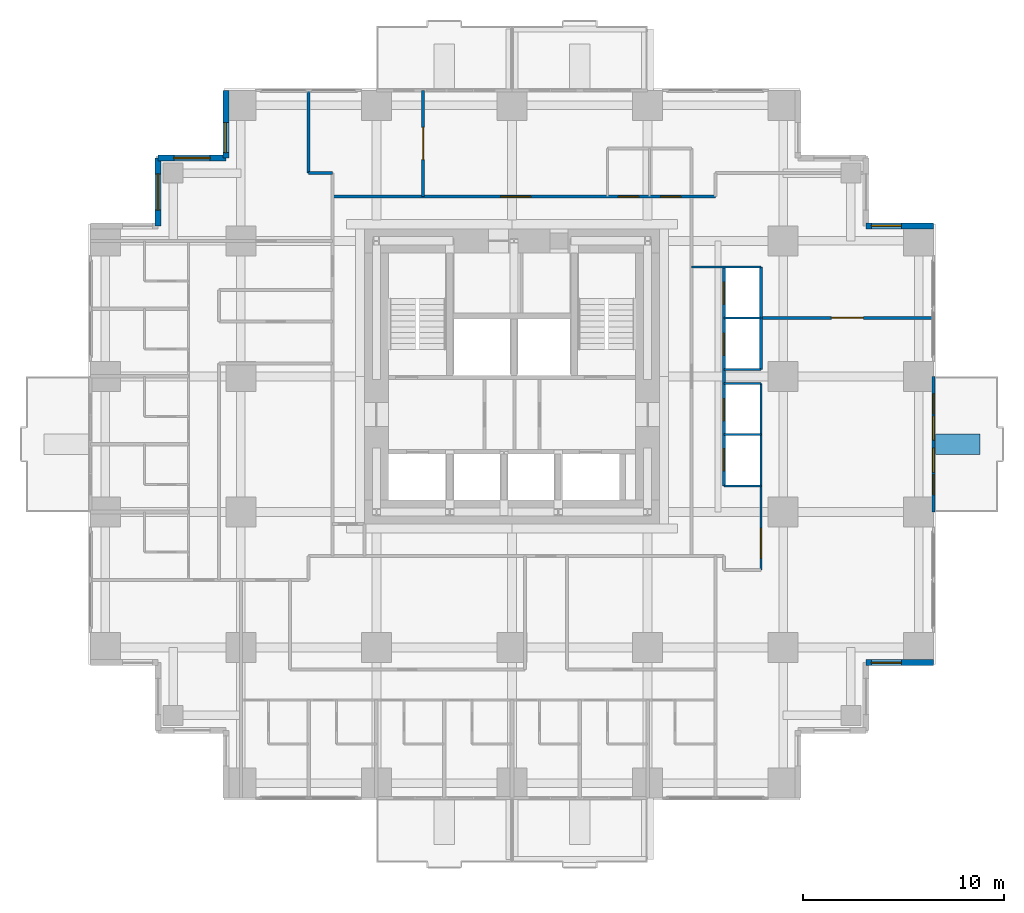
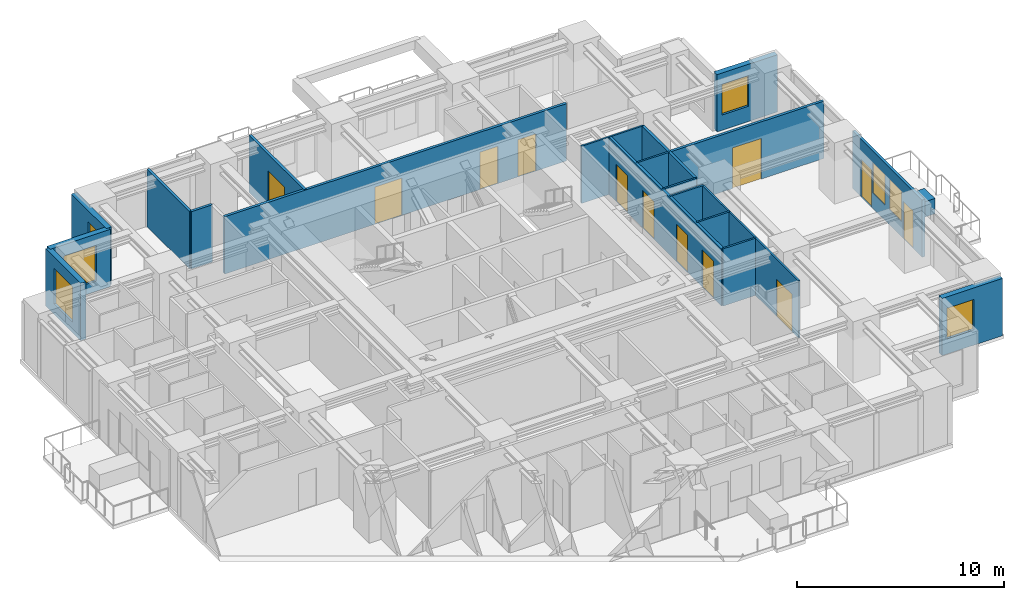
# One storey, part 8 of 11: 21 walls, 12 doors, 7 windows, 19 openings.
"""IFC4 building model written with IfcOpenShell, lengths in metres."""

from ifc_helpers import new_model, si_unit, direction, frame, frame_2d, origin, place, context, subcontext, project, spatial, rectangle, extrude, material, layer, layer_set, type_object, element, fill, save


model = new_model("IFC4")

# Units and contexts
model_context = context("Model", 3, precision=1e-05, world=origin(), true_north=direction((0.0, 1.0)))
body_context = subcontext(model_context, "Body", "Model", "MODEL_VIEW")
ifc_project = project(units=[si_unit("LENGTHUNIT", "METRE"), si_unit("AREAUNIT", "SQUARE_METRE"), si_unit("VOLUMEUNIT", "CUBIC_METRE"), si_unit("PLANEANGLEUNIT", "RADIAN"), si_unit("MASSUNIT", "GRAM", prefix="KILO")], contexts=[model_context])

# Site, building, storey
site_placement = place(None, origin())
site = spatial("IfcSite", under=ifc_project, at=site_placement, CompositionType="ELEMENT")
building_placement = place(site_placement, origin())
building = spatial("IfcBuilding", under=site, at=building_placement, Name="Nyansa Garden Tower", CompositionType="ELEMENT")
storey_placement = place(building_placement, frame((0.0, 0.0, 108.89990234375)))
storey = spatial("IfcBuildingStorey", under=building, at=storey_placement, Name="L29", CompositionType="ELEMENT", Elevation=108.89990234375)

# Wall, openings, doors, windows
ifc_material_1 = material(Name="Black aluminium framed glazed screen", Category="aluminium")
ifc_layer_1 = layer(ifc_material_1, 0.14990234375)
ifc_layer_set_1 = layer_set([ifc_layer_1], Name="Balcony screen wall BW150")
wall_type_1 = type_object("IfcWallType", Name="Balcony screen wall BW150", PredefinedType="SOLIDWALL", material=ifc_layer_set_1)
wall_1_placement = place(storey_placement, frame((41.25, 20.25, 0.0), z_axis=(0.0, 0.0, 1.0), x_axis=(0.0, -1.0, 0.0)))
wall_1 = element("IfcWall", 1, at=wall_1_placement, inside=storey, type_object=wall_type_1, Name="Glazed screen wall L29 E", PredefinedType="SOLIDWALL", context=body_context, shape_type="SweptSolid", body=[
    extrude(rectangle(XDim=6.75, YDim=0.14990234375, at=frame_2d((3.375, 0.0))), origin(), (0.0, 0.0, 1.0), 3.375),
])
opening_1_placement = place(wall_1_placement, frame((0.862548828125, 0.0, 0.0)))
opening_1 = element("IfcOpeningElement", 2, at=opening_1_placement, cuts=wall_1, Name="Opening D20", PredefinedType="OPENING", context=body_context, shape_type="SweptSolid", body=[
    extrude(rectangle(XDim=1.0, YDim=2.199951171875, at=frame_2d((0.5, 1.10009765625))), frame((0.0, 0.0849609375, 0.0), z_axis=(0.0, -1.0, 0.0), x_axis=(1.0, 0.0, 0.0)), (0.0, 0.0, 1.0), 0.169921875),
])
opening_2_placement = place(wall_1_placement, frame((1.97509765625, 0.0, 0.89990234375)))
opening_2 = element("IfcOpeningElement", 3, at=opening_2_placement, cuts=wall_1, Name="Opening W6", PredefinedType="OPENING", context=body_context, shape_type="SweptSolid", body=[
    extrude(rectangle(XDim=1.199951171875, YDim=1.800048828125, at=frame_2d((0.60009765625, 0.89990234375))), frame((0.0, 0.0849609375, 0.0), z_axis=(0.0, -1.0, 0.0), x_axis=(1.0, 0.0, 0.0)), (0.0, 0.0, 1.0), 0.169921875),
])
opening_3_placement = place(wall_1_placement, frame((4.887451171875, 0.0, 0.0)))
opening_3 = element("IfcOpeningElement", 4, at=opening_3_placement, cuts=wall_1, Name="Opening D20", PredefinedType="OPENING", context=body_context, shape_type="SweptSolid", body=[
    extrude(rectangle(XDim=1.0, YDim=2.199951171875, at=frame_2d((0.5, 1.10009765625))), frame((0.0, 0.0849609375, 0.0), z_axis=(0.0, -1.0, 0.0), x_axis=(1.0, 0.0, 0.0)), (0.0, 0.0, 1.0), 0.169921875),
])
opening_4_placement = place(wall_1_placement, frame((3.574951171875, 0.0, 0.89990234375)))
opening_4 = element("IfcOpeningElement", 5, at=opening_4_placement, cuts=wall_1, Name="Opening W6", PredefinedType="OPENING", context=body_context, shape_type="SweptSolid", body=[
    extrude(rectangle(XDim=1.199951171875, YDim=1.800048828125, at=frame_2d((0.60009765625, 0.89990234375))), frame((0.0, 0.0849609375, 0.0), z_axis=(0.0, -1.0, 0.0), x_axis=(1.0, 0.0, 0.0)), (0.0, 0.0, 1.0), 0.169921875),
])
ifc_material_2 = material(Name="Black aluminium framed glazed door", Category="aluminium")
door_type_1 = type_object("IfcDoorType", Name="Balcony door D20 1000x2200", OperationType="NOTDEFINED", PredefinedType="DOOR", material=ifc_material_2)
door_1_placement = place(opening_1_placement, origin())
door_1 = element("IfcDoor", 6, at=door_1_placement, inside=storey, type_object=door_type_1, Name="Balcony door L29", OperationType="SINGLE_SWING_LEFT", OverallHeight=2.199951171875, OverallWidth=1.0, PredefinedType="DOOR", context=body_context, shape_type="SweptSolid", body=[
    extrude(rectangle(XDim=1.0, YDim=2.199951171875, at=frame_2d((0.5, 1.10009765625))), frame((0.0, 0.02490234375, 0.0), z_axis=(0.0, -1.0, 0.0), x_axis=(1.0, 0.0, 0.0)), (0.0, 0.0, 1.0), 0.050048828125),
])
fill(opening_1, door_1)
door_2_placement = place(opening_3_placement, origin())
door_2 = element("IfcDoor", 7, at=door_2_placement, inside=storey, type_object=door_type_1, Name="Balcony door L29", OperationType="SINGLE_SWING_RIGHT", OverallHeight=2.199951171875, OverallWidth=1.0, PredefinedType="DOOR", context=body_context, shape_type="SweptSolid", body=[
    extrude(rectangle(XDim=1.0, YDim=2.199951171875, at=frame_2d((0.5, 1.10009765625))), frame((0.0, 0.02490234375, 0.0), z_axis=(0.0, -1.0, 0.0), x_axis=(1.0, 0.0, 0.0)), (0.0, 0.0, 1.0), 0.050048828125),
])
fill(opening_3, door_2)
ifc_material_3 = material(Name="Black aluminium frame, dark tinted double glazing", Category="aluminium")
window_type_1 = type_object("IfcWindowType", Name="Balcony window W6 1200x1800", PartitioningType="SINGLE_PANEL", PredefinedType="WINDOW", material=ifc_material_3)
window_1_placement = place(opening_2_placement, origin())
window_1 = element("IfcWindow", 8, at=window_1_placement, inside=storey, type_object=window_type_1, Name="Window L29", OverallHeight=1.800048828125, OverallWidth=1.199951171875, PartitioningType="SINGLE_PANEL", PredefinedType="WINDOW", context=body_context, shape_type="SweptSolid", body=[
    extrude(rectangle(XDim=1.199951171875, YDim=1.800048828125, at=frame_2d((0.60009765625, 0.89990234375))), frame((0.0, 0.030029296875, 0.0), z_axis=(0.0, -1.0, 0.0), x_axis=(1.0, 0.0, 0.0)), (0.0, 0.0, 1.0), 0.06005859375),
])
fill(opening_2, window_1)
window_2_placement = place(opening_4_placement, origin())
window_2 = element("IfcWindow", 9, at=window_2_placement, inside=storey, type_object=window_type_1, Name="Window L29", OverallHeight=1.800048828125, OverallWidth=1.199951171875, PartitioningType="SINGLE_PANEL", PredefinedType="WINDOW", context=body_context, shape_type="SweptSolid", body=[
    extrude(rectangle(XDim=1.199951171875, YDim=1.800048828125, at=frame_2d((0.60009765625, 0.89990234375))), frame((0.0, 0.030029296875, 0.0), z_axis=(0.0, -1.0, 0.0), x_axis=(1.0, 0.0, 0.0)), (0.0, 0.0, 1.0), 0.06005859375),
])
fill(opening_4, window_2)

# Walls
ifc_material_4 = material(Name="Steel-stud shaft wall, two layers fire-rated board, EI 120", Category="steel")
ifc_layer_2 = layer(ifc_material_4, 0.10009765625)
ifc_layer_set_2 = layer_set([ifc_layer_2], Name="Lift shaft wall SW100")
wall_type_2 = type_object("IfcWallType", Name="Lift shaft wall SW100", PredefinedType="SHEAR", material=ifc_layer_set_2)
wall_2_placement = place(storey_placement, frame((29.199951171875, 25.699951171875, 0.0), z_axis=(0.0, 0.0, 1.0), x_axis=(1.0, 0.0, 0.0)))
element("IfcWall", 10, at=wall_2_placement, inside=storey, type_object=wall_type_2, Name="Lift shaft wall", PredefinedType="SHEAR", context=body_context, shape_type="SweptSolid", body=[
    extrude(rectangle(XDim=3.449951171875, YDim=0.10009765625, at=frame_2d((1.72509765625, 0.0))), origin(), (0.0, 0.0, 1.0), 3.375),
])
for number, where, z_axis, x_axis, name in (
    (11, (30.800048828125, 14.800048828125, 0.0), (0.0, 0.0, 1.0), (1.0, 0.0, 0.0), "Lift shaft wall"),
    (12, (30.800048828125, 17.35009765625, 0.0), (0.0, 0.0, 1.0), (1.0, 0.0, 0.0), "Lift shaft wall"),
    (13, (30.800048828125, 19.89990234375, 0.0), (0.0, 0.0, 1.0), (1.0, 0.0, 0.0), "Lift shaft wall"),
    (14, (30.800048828125, 20.60009765625, 0.0), (0.0, 0.0, 1.0), (1.0, 0.0, 0.0), "Lift shaft wall"),
    (15, (30.800048828125, 23.14990234375, 0.0), (0.0, 0.0, 1.0), (1.0, 0.0, 0.0), "Lift shaft wall"),
):
    element("IfcWall", number, at=place(storey_placement, frame(where, z_axis=z_axis, x_axis=x_axis)), inside=storey, type_object=wall_type_2, Name=name, PredefinedType="SHEAR", context=body_context, shape_type="SweptSolid", body=[
        extrude(rectangle(XDim=1.849853515625, YDim=0.10009765625, at=frame_2d((0.9248046875, 0.0))), origin(), (0.0, 0.0, 1.0), 3.375),
    ])

# Wall, opening, door
wall_3_placement = place(storey_placement, frame((32.64990234375, 10.60009765625, 0.0), z_axis=(0.0, 0.0, 1.0), x_axis=(0.0, 1.0, 0.0)))
wall_3 = element("IfcWall", 16, at=wall_3_placement, inside=storey, type_object=wall_type_2, Name="Lift shaft wall", PredefinedType="SHEAR", context=body_context, shape_type="SweptSolid", body=[
    extrude(rectangle(XDim=9.2998046875, YDim=0.10009765625, at=frame_2d((4.64990234375, 0.0))), origin(), (0.0, 0.0, 1.0), 3.375),
])
opening_5_placement = place(wall_3_placement, frame((0.60009765625, 0.0, 0.0)))
opening_5 = element("IfcOpeningElement", 17, at=opening_5_placement, cuts=wall_3, Name="Opening D10", PredefinedType="OPENING", context=body_context, shape_type="SweptSolid", body=[
    extrude(rectangle(XDim=1.5, YDim=2.199951171875, at=frame_2d((0.75, 1.10009765625))), frame((0.0, 0.06005859375, 0.0), z_axis=(0.0, -1.0, 0.0), x_axis=(1.0, 0.0, 0.0)), (0.0, 0.0, 1.0), 0.1201171875),
])
ifc_material_5 = material(Name="Timber glazed door, 60 minute fire resisting", Category="wood")
door_type_2 = type_object("IfcDoorType", Name="Lounge door D10 1500x2200", OperationType="DOUBLE_DOOR_SINGLE_SWING", PredefinedType="DOOR", material=ifc_material_5)
door_3_placement = place(opening_5_placement, origin())
door_3 = element("IfcDoor", 18, at=door_3_placement, inside=storey, type_object=door_type_2, Name="Door L29-039", OperationType="DOUBLE_DOOR_SINGLE_SWING", OverallHeight=2.199951171875, OverallWidth=1.5, PredefinedType="DOOR", context=body_context, shape_type="SweptSolid", body=[
    extrude(rectangle(XDim=1.5, YDim=2.199951171875, at=frame_2d((0.75, 1.10009765625))), frame((0.0, 0.02490234375, 0.0), z_axis=(0.0, -1.0, 0.0), x_axis=(1.0, 0.0, 0.0)), (0.0, 0.0, 1.0), 0.050048828125),
])
fill(opening_5, door_3)

# Walls
ifc_material_6 = material(Name="Blockwork, plastered both sides", Category="masonry")
ifc_layer_3 = layer(ifc_material_6, 0.14990234375)
ifc_layer_set_3 = layer_set([ifc_layer_3], Name="Partition PW150")
wall_type_3 = type_object("IfcWallType", Name="Partition PW150", PredefinedType="PARTITIONING", material=ifc_layer_set_3)
wall_4_placement = place(storey_placement, frame((10.125, 30.375, 0.0), z_axis=(0.0, 0.0, 1.0), x_axis=(0.0, 1.0, 0.0)))
element("IfcWall", 19, at=wall_4_placement, inside=storey, type_object=wall_type_3, Name="Partition", PredefinedType="PARTITIONING", context=body_context, shape_type="SweptSolid", body=[
    extrude(rectangle(XDim=4.10888671875, YDim=0.14990234375, at=frame_2d((2.054443359375, 0.0))), origin(), (0.0, 0.0, 1.0), 3.375),
])
wall_5_placement = place(storey_placement, frame((10.125, 30.375, 0.0), z_axis=(0.0, 0.0, 1.0), x_axis=(1.0, 0.0, 0.0)))
element("IfcWall", 20, at=wall_5_placement, inside=storey, type_object=wall_type_3, Name="Partition", PredefinedType="PARTITIONING", context=body_context, shape_type="SweptSolid", body=[
    extrude(rectangle(XDim=1.175048828125, YDim=0.14990234375, at=frame_2d((0.58740234375, 0.0))), origin(), (0.0, 0.0, 1.0), 3.375),
])

# Wall, openings, doors
wall_6_placement = place(storey_placement, frame((11.300048828125, 29.199951171875, 0.0), z_axis=(0.0, 0.0, 1.0), x_axis=(1.0, 0.0, 0.0)))
wall_6 = element("IfcWall", 21, at=wall_6_placement, inside=storey, type_object=wall_type_3, Name="Partition", PredefinedType="PARTITIONING", context=body_context, shape_type="SweptSolid", body=[
    extrude(rectangle(XDim=19.074951171875, YDim=0.14990234375, at=frame_2d((9.53759765625, 0.0))), origin(), (0.0, 0.0, 1.0), 3.375),
])
opening_6_placement = place(wall_6_placement, frame((14.25, 0.0, 0.0)))
opening_6 = element("IfcOpeningElement", 22, at=opening_6_placement, cuts=wall_6, Name="Opening D08", PredefinedType="OPENING", context=body_context, shape_type="SweptSolid", body=[
    extrude(rectangle(XDim=1.0, YDim=2.199951171875, at=frame_2d((0.5, 1.10009765625))), frame((0.0, 0.0849609375, 0.0), z_axis=(0.0, -1.0, 0.0), x_axis=(1.0, 0.0, 0.0)), (0.0, 0.0, 1.0), 0.169921875),
])
opening_7_placement = place(wall_6_placement, frame((16.35009765625, 0.0, 0.0)))
opening_7 = element("IfcOpeningElement", 23, at=opening_7_placement, cuts=wall_6, Name="Opening D08", PredefinedType="OPENING", context=body_context, shape_type="SweptSolid", body=[
    extrude(rectangle(XDim=1.0, YDim=2.199951171875, at=frame_2d((0.5, 1.10009765625))), frame((0.0, 0.0849609375, 0.0), z_axis=(0.0, -1.0, 0.0), x_axis=(1.0, 0.0, 0.0)), (0.0, 0.0, 1.0), 0.169921875),
])
opening_8_placement = place(wall_6_placement, frame((8.37939453125, 0.0, 0.0)))
opening_8 = element("IfcOpeningElement", 24, at=opening_8_placement, cuts=wall_6, Name="Opening D10", PredefinedType="OPENING", context=body_context, shape_type="SweptSolid", body=[
    extrude(rectangle(XDim=1.5, YDim=2.199951171875, at=frame_2d((0.75, 1.10009765625))), frame((0.0, 0.0849609375, 0.0), z_axis=(0.0, -1.0, 0.0), x_axis=(1.0, 0.0, 0.0)), (0.0, 0.0, 1.0), 0.169921875),
])
ifc_material_7 = material(Name="Timber flush door, outward opening", Category="wood")
door_type_3 = type_object("IfcDoorType", Name="Accessible WC door D08 1000x2200", OperationType="SINGLE_SWING_LEFT", PredefinedType="DOOR", material=ifc_material_7)
door_4_placement = place(opening_6_placement, origin())
door_4 = element("IfcDoor", 25, at=door_4_placement, inside=storey, type_object=door_type_3, Name="Door L29-040", OperationType="SINGLE_SWING_LEFT", OverallHeight=2.199951171875, OverallWidth=1.0, PredefinedType="DOOR", context=body_context, shape_type="SweptSolid", body=[
    extrude(rectangle(XDim=1.0, YDim=2.199951171875, at=frame_2d((0.5, 1.10009765625))), frame((0.0, 0.02490234375, 0.0), z_axis=(0.0, -1.0, 0.0), x_axis=(1.0, 0.0, 0.0)), (0.0, 0.0, 1.0), 0.050048828125),
])
fill(opening_6, door_4)
door_5_placement = place(opening_7_placement, origin())
door_5 = element("IfcDoor", 26, at=door_5_placement, inside=storey, type_object=door_type_3, Name="Door L29-041", OperationType="SINGLE_SWING_LEFT", OverallHeight=2.199951171875, OverallWidth=1.0, PredefinedType="DOOR", context=body_context, shape_type="SweptSolid", body=[
    extrude(rectangle(XDim=1.0, YDim=2.199951171875, at=frame_2d((0.5, 1.10009765625))), frame((0.0, 0.02490234375, 0.0), z_axis=(0.0, -1.0, 0.0), x_axis=(1.0, 0.0, 0.0)), (0.0, 0.0, 1.0), 0.050048828125),
])
fill(opening_7, door_5)
door_6_placement = place(opening_8_placement, origin())
door_6 = element("IfcDoor", 27, at=door_6_placement, inside=storey, type_object=door_type_2, Name="Door L29-043", OperationType="DOUBLE_DOOR_SINGLE_SWING", OverallHeight=2.199951171875, OverallWidth=1.5, PredefinedType="DOOR", context=body_context, shape_type="SweptSolid", body=[
    extrude(rectangle(XDim=1.5, YDim=2.199951171875, at=frame_2d((0.75, 1.10009765625))), frame((0.0, 0.02490234375, 0.0), z_axis=(0.0, -1.0, 0.0), x_axis=(1.0, 0.0, 0.0)), (0.0, 0.0, 1.0), 0.050048828125),
])
fill(opening_8, door_6)

# Wall, opening, door
wall_7_placement = place(storey_placement, frame((15.8291015625, 29.199951171875, 0.0), z_axis=(0.0, 0.0, 1.0), x_axis=(0.0, 1.0, 0.0)))
wall_7 = element("IfcWall", 28, at=wall_7_placement, inside=storey, type_object=wall_type_3, Name="Partition", PredefinedType="PARTITIONING", context=body_context, shape_type="SweptSolid", body=[
    extrude(rectangle(XDim=5.283935546875, YDim=0.14990234375, at=frame_2d((2.64208984375, 0.0))), origin(), (0.0, 0.0, 1.0), 3.375),
])
opening_9_placement = place(wall_7_placement, frame((1.85009765625, 0.0, 0.0)))
opening_9 = element("IfcOpeningElement", 29, at=opening_9_placement, cuts=wall_7, Name="Opening D12", PredefinedType="OPENING", context=body_context, shape_type="SweptSolid", body=[
    extrude(rectangle(XDim=1.60009765625, YDim=2.39990234375, at=frame_2d((0.800048828125, 1.199951171875))), frame((0.0, 0.0849609375, 0.0), z_axis=(0.0, -1.0, 0.0), x_axis=(1.0, 0.0, 0.0)), (0.0, 0.0, 1.0), 0.169921875),
])
ifc_material_8 = material(Name="Black aluminium glazed door, 60 minute fire resisting", Category="aluminium")
door_type_4 = type_object("IfcDoorType", Name="Amenity door D12 1600x2400", OperationType="DOUBLE_DOOR_SINGLE_SWING", PredefinedType="DOOR", material=ifc_material_8)
door_7_placement = place(opening_9_placement, origin())
door_7 = element("IfcDoor", 30, at=door_7_placement, inside=storey, type_object=door_type_4, Name="Door L29-042", OperationType="DOUBLE_DOOR_SINGLE_SWING", OverallHeight=2.39990234375, OverallWidth=1.60009765625, PredefinedType="DOOR", context=body_context, shape_type="SweptSolid", body=[
    extrude(rectangle(XDim=1.60009765625, YDim=2.39990234375, at=frame_2d((0.800048828125, 1.199951171875))), frame((0.0, 0.02490234375, 0.0), z_axis=(0.0, -1.0, 0.0), x_axis=(1.0, 0.0, 0.0)), (0.0, 0.0, 1.0), 0.050048828125),
])
fill(opening_9, door_7)

# Wall, openings, doors
wall_8_placement = place(storey_placement, frame((30.800048828125, 14.800048828125, 0.0), z_axis=(0.0, 0.0, 1.0), x_axis=(0.0, 1.0, 0.0)))
wall_8 = element("IfcWall", 31, at=wall_8_placement, inside=storey, type_object=wall_type_3, Name="Partition", PredefinedType="PARTITIONING", context=body_context, shape_type="SweptSolid", body=[
    extrude(rectangle(XDim=10.89990234375, YDim=0.14990234375, at=frame_2d((5.449951171875, 0.0))), origin(), (0.0, 0.0, 1.0), 3.375),
])
opening_10_placement = place(wall_8_placement, frame((0.75, 0.0, 0.0)))
opening_10 = element("IfcOpeningElement", 32, at=opening_10_placement, cuts=wall_8, Name="Opening LD-A", PredefinedType="OPENING", context=body_context, shape_type="SweptSolid", body=[
    extrude(rectangle(XDim=1.10009765625, YDim=2.199951171875, at=frame_2d((0.550048828125, 1.10009765625))), frame((0.0, 0.0849609375, 0.0), z_axis=(0.0, -1.0, 0.0), x_axis=(1.0, 0.0, 0.0)), (0.0, 0.0, 1.0), 0.169921875),
])
opening_11_placement = place(wall_8_placement, frame((3.25, 0.0, 0.0)))
opening_11 = element("IfcOpeningElement", 33, at=opening_11_placement, cuts=wall_8, Name="Opening LD-A", PredefinedType="OPENING", context=body_context, shape_type="SweptSolid", body=[
    extrude(rectangle(XDim=1.10009765625, YDim=2.199951171875, at=frame_2d((0.550048828125, 1.10009765625))), frame((0.0, 0.0849609375, 0.0), z_axis=(0.0, -1.0, 0.0), x_axis=(1.0, 0.0, 0.0)), (0.0, 0.0, 1.0), 0.169921875),
])
opening_12_placement = place(wall_8_placement, frame((6.5, 0.0, 0.0)))
opening_12 = element("IfcOpeningElement", 34, at=opening_12_placement, cuts=wall_8, Name="Opening LD-A", PredefinedType="OPENING", context=body_context, shape_type="SweptSolid", body=[
    extrude(rectangle(XDim=1.10009765625, YDim=2.199951171875, at=frame_2d((0.550048828125, 1.10009765625))), frame((0.0, 0.0849609375, 0.0), z_axis=(0.0, -1.0, 0.0), x_axis=(1.0, 0.0, 0.0)), (0.0, 0.0, 1.0), 0.169921875),
])
opening_13_placement = place(wall_8_placement, frame((9.050048828125, 0.0, 0.0)))
opening_13 = element("IfcOpeningElement", 35, at=opening_13_placement, cuts=wall_8, Name="Opening LD-A", PredefinedType="OPENING", context=body_context, shape_type="SweptSolid", body=[
    extrude(rectangle(XDim=1.10009765625, YDim=2.199951171875, at=frame_2d((0.550048828125, 1.10009765625))), frame((0.0, 0.0849609375, 0.0), z_axis=(0.0, -1.0, 0.0), x_axis=(1.0, 0.0, 0.0)), (0.0, 0.0, 1.0), 0.169921875),
])
ifc_material_9 = material(Name="Stainless steel centre-opening landing door of the low-rise lift, E 120", Category="steel")
door_type_5 = type_object("IfcDoorType", Name="Lift landing door LD-A 1100x2200", OperationType="DOUBLE_DOOR_SLIDING", PredefinedType="DOOR", material=ifc_material_9)
door_8_placement = place(opening_10_placement, origin())
door_8 = element("IfcDoor", 36, at=door_8_placement, inside=storey, type_object=door_type_5, Name="Landing door A1", OperationType="DOUBLE_DOOR_SLIDING", OverallHeight=2.199951171875, OverallWidth=1.10009765625, PredefinedType="DOOR", context=body_context, shape_type="SweptSolid", body=[
    extrude(rectangle(XDim=1.10009765625, YDim=2.199951171875, at=frame_2d((0.550048828125, 1.10009765625))), frame((0.0, 0.02490234375, 0.0), z_axis=(0.0, -1.0, 0.0), x_axis=(1.0, 0.0, 0.0)), (0.0, 0.0, 1.0), 0.050048828125),
])
fill(opening_10, door_8)
door_9_placement = place(opening_11_placement, origin())
door_9 = element("IfcDoor", 37, at=door_9_placement, inside=storey, type_object=door_type_5, Name="Landing door A2", OperationType="DOUBLE_DOOR_SLIDING", OverallHeight=2.199951171875, OverallWidth=1.10009765625, PredefinedType="DOOR", context=body_context, shape_type="SweptSolid", body=[
    extrude(rectangle(XDim=1.10009765625, YDim=2.199951171875, at=frame_2d((0.550048828125, 1.10009765625))), frame((0.0, 0.02490234375, 0.0), z_axis=(0.0, -1.0, 0.0), x_axis=(1.0, 0.0, 0.0)), (0.0, 0.0, 1.0), 0.050048828125),
])
fill(opening_11, door_9)
door_10_placement = place(opening_12_placement, origin())
door_10 = element("IfcDoor", 38, at=door_10_placement, inside=storey, type_object=door_type_5, Name="Landing door A3", OperationType="DOUBLE_DOOR_SLIDING", OverallHeight=2.199951171875, OverallWidth=1.10009765625, PredefinedType="DOOR", context=body_context, shape_type="SweptSolid", body=[
    extrude(rectangle(XDim=1.10009765625, YDim=2.199951171875, at=frame_2d((0.550048828125, 1.10009765625))), frame((0.0, 0.02490234375, 0.0), z_axis=(0.0, -1.0, 0.0), x_axis=(1.0, 0.0, 0.0)), (0.0, 0.0, 1.0), 0.050048828125),
])
fill(opening_12, door_10)
door_11_placement = place(opening_13_placement, origin())
door_11 = element("IfcDoor", 39, at=door_11_placement, inside=storey, type_object=door_type_5, Name="Landing door A4", OperationType="DOUBLE_DOOR_SLIDING", OverallHeight=2.199951171875, OverallWidth=1.10009765625, PredefinedType="DOOR", context=body_context, shape_type="SweptSolid", body=[
    extrude(rectangle(XDim=1.10009765625, YDim=2.199951171875, at=frame_2d((0.550048828125, 1.10009765625))), frame((0.0, 0.02490234375, 0.0), z_axis=(0.0, -1.0, 0.0), x_axis=(1.0, 0.0, 0.0)), (0.0, 0.0, 1.0), 0.050048828125),
])
fill(opening_13, door_11)

# Wall
wall_9_placement = place(storey_placement, frame((32.64990234375, 20.60009765625, 0.0), z_axis=(0.0, 0.0, 1.0), x_axis=(0.0, 1.0, 0.0)))
element("IfcWall", 40, at=wall_9_placement, inside=storey, type_object=wall_type_3, Name="Partition", PredefinedType="PARTITIONING", context=body_context, shape_type="SweptSolid", body=[
    extrude(rectangle(XDim=5.099853515625, YDim=0.14990234375, at=frame_2d((2.5498046875, 0.0))), origin(), (0.0, 0.0, 1.0), 3.375),
])

# Wall, opening, door
wall_10_placement = place(storey_placement, frame((32.64990234375, 23.16796875, 0.0), z_axis=(0.0, 0.0, 1.0), x_axis=(1.0, 0.0, 0.0)))
wall_10 = element("IfcWall", 41, at=wall_10_placement, inside=storey, type_object=wall_type_3, Name="Partition", PredefinedType="PARTITIONING", context=body_context, shape_type="SweptSolid", body=[
    extrude(rectangle(XDim=8.583984375, YDim=0.14990234375, at=frame_2d((4.2919921875, 0.0))), origin(), (0.0, 0.0, 1.0), 3.375),
])
opening_14_placement = place(wall_10_placement, frame((3.5, 0.0, 0.0)))
opening_14 = element("IfcOpeningElement", 42, at=opening_14_placement, cuts=wall_10, Name="Opening D12", PredefinedType="OPENING", context=body_context, shape_type="SweptSolid", body=[
    extrude(rectangle(XDim=1.60009765625, YDim=2.39990234375, at=frame_2d((0.800048828125, 1.199951171875))), frame((0.0, 0.0849609375, 0.0), z_axis=(0.0, -1.0, 0.0), x_axis=(1.0, 0.0, 0.0)), (0.0, 0.0, 1.0), 0.169921875),
])
door_12_placement = place(opening_14_placement, origin())
door_12 = element("IfcDoor", 43, at=door_12_placement, inside=storey, type_object=door_type_4, Name="Door L29-038", OperationType="DOUBLE_DOOR_SINGLE_SWING", OverallHeight=2.39990234375, OverallWidth=1.60009765625, PredefinedType="DOOR", context=body_context, shape_type="SweptSolid", body=[
    extrude(rectangle(XDim=1.60009765625, YDim=2.39990234375, at=frame_2d((0.800048828125, 1.199951171875))), frame((0.0, 0.02490234375, 0.0), z_axis=(0.0, -1.0, 0.0), x_axis=(1.0, 0.0, 0.0)), (0.0, 0.0, 1.0), 0.050048828125),
])
fill(opening_14, door_12)

# Wall, opening, window
ifc_material_10 = material(Name="Turquoise glazed tile on concrete blockwork", Category="masonry")
ifc_layer_4 = layer(ifc_material_10, 0.300048828125)
ifc_layer_set_4 = layer_set([ifc_layer_4], Name="Tiled corner wall TW300")
wall_type_4 = type_object("IfcWallType", Name="Tiled corner wall TW300", PredefinedType="SOLIDWALL", material=ifc_layer_set_4)
wall_11_placement = place(storey_placement, frame((41.25, 27.75, 0.0), z_axis=(0.0, 0.0, 1.0), x_axis=(-1.0, 0.0, 0.0)))
wall_11 = element("IfcWall", 44, at=wall_11_placement, inside=storey, type_object=wall_type_4, Name="Tiled corner wall L29", PredefinedType="SOLIDWALL", context=body_context, shape_type="SweptSolid", body=[
    extrude(rectangle(XDim=3.375, YDim=0.300048828125, at=frame_2d((1.6875, 0.0))), origin(), (0.0, 0.0, 1.0), 3.375),
])
opening_15_placement = place(wall_11_placement, frame((1.607421875, 0.0, 0.89990234375)))
opening_15 = element("IfcOpeningElement", 45, at=opening_15_placement, cuts=wall_11, Name="Opening W1", PredefinedType="OPENING", context=body_context, shape_type="SweptSolid", body=[
    extrude(rectangle(XDim=1.5, YDim=1.800048828125, at=frame_2d((0.75, 0.89990234375))), frame((0.0, 0.159912109375, 0.0), z_axis=(0.0, -1.0, 0.0), x_axis=(1.0, 0.0, 0.0)), (0.0, 0.0, 1.0), 0.320068359375),
])
ifc_material_11 = material(Name="Black aluminium frame, dark tinted double glazing", Category="aluminium")
window_type_2 = type_object("IfcWindowType", Name="Window W1 1500x1800", PartitioningType="SINGLE_PANEL", PredefinedType="WINDOW", material=ifc_material_11)
window_3_placement = place(opening_15_placement, origin())
window_3 = element("IfcWindow", 46, at=window_3_placement, inside=storey, type_object=window_type_2, Name="Corner window L29", OverallHeight=1.800048828125, OverallWidth=1.5, PartitioningType="SINGLE_PANEL", PredefinedType="WINDOW", context=body_context, shape_type="SweptSolid", body=[
    extrude(rectangle(XDim=1.5, YDim=1.800048828125, at=frame_2d((0.75, 0.89990234375))), frame((0.0, 0.030029296875, 0.0), z_axis=(0.0, -1.0, 0.0), x_axis=(1.0, 0.0, 0.0)), (0.0, 0.0, 1.0), 0.06005859375),
])
fill(opening_15, window_3)

wall_12_placement = place(storey_placement, frame((6.0, 34.5, 0.0), z_axis=(0.0, 0.0, 1.0), x_axis=(0.0, -1.0, 0.0)))
wall_12 = element("IfcWall", 47, at=wall_12_placement, inside=storey, type_object=wall_type_4, Name="Tiled corner wall L29", PredefinedType="SOLIDWALL", context=body_context, shape_type="SweptSolid", body=[
    extrude(rectangle(XDim=3.375, YDim=0.300048828125, at=frame_2d((1.6875, 0.0))), origin(), (0.0, 0.0, 1.0), 3.375),
])
opening_16_placement = place(wall_12_placement, frame((1.607421875, 0.0, 0.89990234375)))
opening_16 = element("IfcOpeningElement", 48, at=opening_16_placement, cuts=wall_12, Name="Opening W1", PredefinedType="OPENING", context=body_context, shape_type="SweptSolid", body=[
    extrude(rectangle(XDim=1.5, YDim=1.800048828125, at=frame_2d((0.75, 0.89990234375))), frame((0.0, 0.159912109375, 0.0), z_axis=(0.0, -1.0, 0.0), x_axis=(1.0, 0.0, 0.0)), (0.0, 0.0, 1.0), 0.320068359375),
])
window_4_placement = place(opening_16_placement, origin())
window_4 = element("IfcWindow", 49, at=window_4_placement, inside=storey, type_object=window_type_2, Name="Corner window L29", OverallHeight=1.800048828125, OverallWidth=1.5, PartitioningType="SINGLE_PANEL", PredefinedType="WINDOW", context=body_context, shape_type="SweptSolid", body=[
    extrude(rectangle(XDim=1.5, YDim=1.800048828125, at=frame_2d((0.75, 0.89990234375))), frame((0.0, 0.030029296875, 0.0), z_axis=(0.0, -1.0, 0.0), x_axis=(1.0, 0.0, 0.0)), (0.0, 0.0, 1.0), 0.06005859375),
])
fill(opening_16, window_4)

wall_13_placement = place(storey_placement, frame((6.0, 31.125, 0.0), z_axis=(0.0, 0.0, 1.0), x_axis=(-1.0, 0.0, 0.0)))
wall_13 = element("IfcWall", 50, at=wall_13_placement, inside=storey, type_object=wall_type_4, Name="Tiled corner wall L29", PredefinedType="SOLIDWALL", context=body_context, shape_type="SweptSolid", body=[
    extrude(rectangle(XDim=3.375, YDim=0.300048828125, at=frame_2d((1.6875, 0.0))), origin(), (0.0, 0.0, 1.0), 3.375),
])
opening_17_placement = place(wall_13_placement, frame((0.78759765625, 0.0, 0.60009765625)))
opening_17 = element("IfcOpeningElement", 51, at=opening_17_placement, cuts=wall_13, Name="Opening W2", PredefinedType="OPENING", context=body_context, shape_type="SweptSolid", body=[
    extrude(rectangle(XDim=1.800048828125, YDim=2.10009765625, at=frame_2d((0.89990234375, 1.050048828125))), frame((0.0, 0.159912109375, 0.0), z_axis=(0.0, -1.0, 0.0), x_axis=(1.0, 0.0, 0.0)), (0.0, 0.0, 1.0), 0.320068359375),
])
ifc_material_12 = material(Name="Black aluminium frame, dark tinted double glazing", Category="aluminium")
window_type_3 = type_object("IfcWindowType", Name="Window W2 1800x2100", PartitioningType="SINGLE_PANEL", PredefinedType="WINDOW", material=ifc_material_12)
window_5_placement = place(opening_17_placement, origin())
window_5 = element("IfcWindow", 52, at=window_5_placement, inside=storey, type_object=window_type_3, Name="Corner window L29", OverallHeight=2.10009765625, OverallWidth=1.800048828125, PartitioningType="SINGLE_PANEL", PredefinedType="WINDOW", context=body_context, shape_type="SweptSolid", body=[
    extrude(rectangle(XDim=1.800048828125, YDim=2.10009765625, at=frame_2d((0.89990234375, 1.050048828125))), frame((0.0, 0.030029296875, 0.0), z_axis=(0.0, -1.0, 0.0), x_axis=(1.0, 0.0, 0.0)), (0.0, 0.0, 1.0), 0.06005859375),
])
fill(opening_17, window_5)

wall_14_placement = place(storey_placement, frame((2.625, 31.125, 0.0), z_axis=(0.0, 0.0, 1.0), x_axis=(0.0, -1.0, 0.0)))
wall_14 = element("IfcWall", 53, at=wall_14_placement, inside=storey, type_object=wall_type_4, Name="Tiled corner wall L29", PredefinedType="SOLIDWALL", context=body_context, shape_type="SweptSolid", body=[
    extrude(rectangle(XDim=3.375, YDim=0.300048828125, at=frame_2d((1.6875, 0.0))), origin(), (0.0, 0.0, 1.0), 3.375),
])
opening_18_placement = place(wall_14_placement, frame((0.78759765625, 0.0, 0.60009765625)))
opening_18 = element("IfcOpeningElement", 54, at=opening_18_placement, cuts=wall_14, Name="Opening W2", PredefinedType="OPENING", context=body_context, shape_type="SweptSolid", body=[
    extrude(rectangle(XDim=1.800048828125, YDim=2.10009765625, at=frame_2d((0.89990234375, 1.050048828125))), frame((0.0, 0.159912109375, 0.0), z_axis=(0.0, -1.0, 0.0), x_axis=(1.0, 0.0, 0.0)), (0.0, 0.0, 1.0), 0.320068359375),
])
window_6_placement = place(opening_18_placement, origin())
window_6 = element("IfcWindow", 55, at=window_6_placement, inside=storey, type_object=window_type_3, Name="Corner window L29", OverallHeight=2.10009765625, OverallWidth=1.800048828125, PartitioningType="SINGLE_PANEL", PredefinedType="WINDOW", context=body_context, shape_type="SweptSolid", body=[
    extrude(rectangle(XDim=1.800048828125, YDim=2.10009765625, at=frame_2d((0.89990234375, 1.050048828125))), frame((0.0, 0.030029296875, 0.0), z_axis=(0.0, -1.0, 0.0), x_axis=(1.0, 0.0, 0.0)), (0.0, 0.0, 1.0), 0.06005859375),
])
fill(opening_18, window_6)

wall_15_placement = place(storey_placement, frame((37.875, 6.0, 0.0), z_axis=(0.0, 0.0, 1.0), x_axis=(1.0, 0.0, 0.0)))
wall_15 = element("IfcWall", 56, at=wall_15_placement, inside=storey, type_object=wall_type_4, Name="Tiled corner wall L29", PredefinedType="SOLIDWALL", context=body_context, shape_type="SweptSolid", body=[
    extrude(rectangle(XDim=3.375, YDim=0.300048828125, at=frame_2d((1.6875, 0.0))), origin(), (0.0, 0.0, 1.0), 3.375),
])
opening_19_placement = place(wall_15_placement, frame((0.267578125, 0.0, 0.89990234375)))
opening_19 = element("IfcOpeningElement", 57, at=opening_19_placement, cuts=wall_15, Name="Opening W1", PredefinedType="OPENING", context=body_context, shape_type="SweptSolid", body=[
    extrude(rectangle(XDim=1.5, YDim=1.800048828125, at=frame_2d((0.75, 0.89990234375))), frame((0.0, 0.159912109375, 0.0), z_axis=(0.0, -1.0, 0.0), x_axis=(1.0, 0.0, 0.0)), (0.0, 0.0, 1.0), 0.320068359375),
])
window_7_placement = place(opening_19_placement, origin())
window_7 = element("IfcWindow", 58, at=window_7_placement, inside=storey, type_object=window_type_2, Name="Corner window L29", OverallHeight=1.800048828125, OverallWidth=1.5, PartitioningType="SINGLE_PANEL", PredefinedType="WINDOW", context=body_context, shape_type="SweptSolid", body=[
    extrude(rectangle(XDim=1.5, YDim=1.800048828125, at=frame_2d((0.75, 0.89990234375))), frame((0.0, 0.030029296875, 0.0), z_axis=(0.0, -1.0, 0.0), x_axis=(1.0, 0.0, 0.0)), (0.0, 0.0, 1.0), 0.06005859375),
])
fill(opening_19, window_7)

# Wall
ifc_material_13 = material(Name="Concrete C40/50 planter, waterproofed", Category="concrete")
ifc_layer_5 = layer(ifc_material_13, 1.0)
ifc_layer_set_5 = layer_set([ifc_layer_5], Name="Tree planter TP1")
wall_type_5 = type_object("IfcWallType", Name="Tree planter TP1", PredefinedType="USERDEFINED", material=ifc_layer_set_5)
wall_16_placement = place(storey_placement, frame((41.35009765625, 16.875, 0.0), z_axis=(0.0, 0.0, 1.0), x_axis=(1.0, 0.0, 0.0)))
element("IfcWall", 59, at=wall_16_placement, inside=storey, type_object=wall_type_5, Name="Tree planter L29", ObjectType="TREE PLANTER", PredefinedType="USERDEFINED", context=body_context, shape_type="SweptSolid", body=[
    extrude(rectangle(XDim=2.199951171875, YDim=1.0, at=frame_2d((1.10009765625, 0.0))), origin(), (0.0, 0.0, 1.0), 0.900146484375),
])

save(model, "model.ifc")
